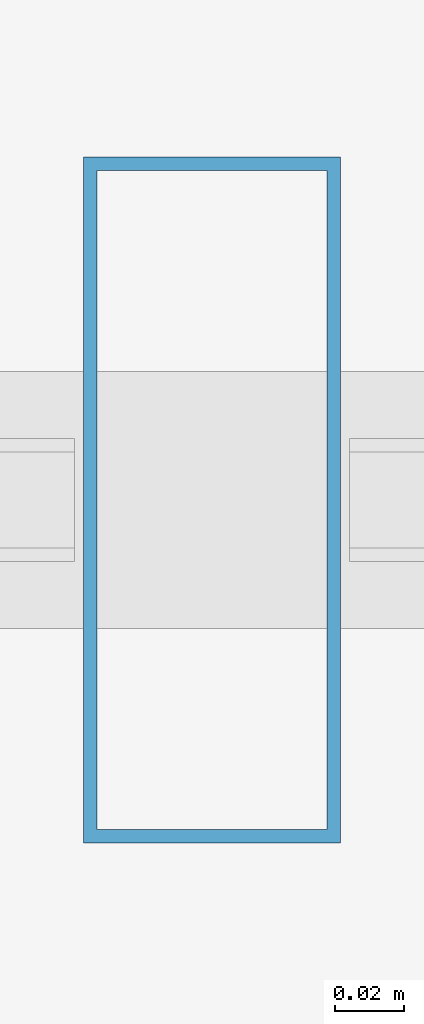
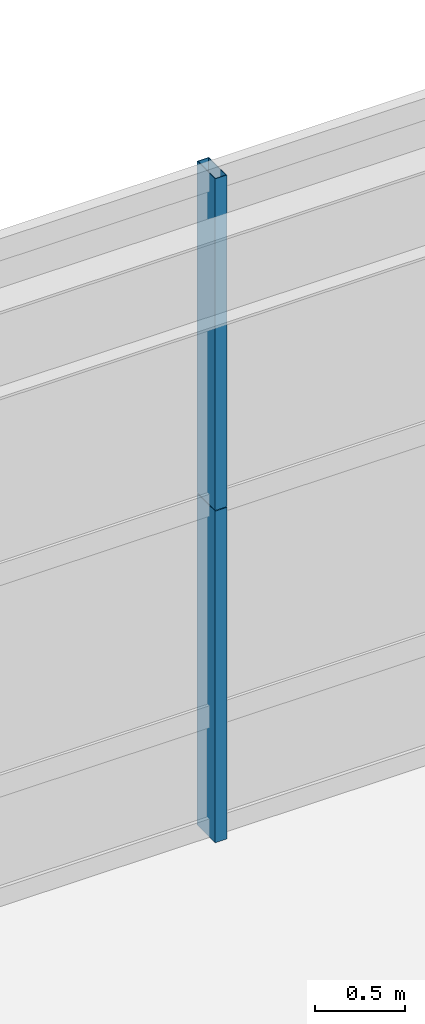
# One storey, part 19 of 37: 2 members, 1 element without a shape of its own.
"""IFC4 building model written with IfcOpenShell, lengths in metres."""

import ifcopenshell
import ifcopenshell.guid

model = None  # the IFC model being written
_history = None  # IfcOwnerHistory: only IFC2X3 demands one
_inside = {}  # id of a spatial element -> (the spatial element, [elements in it])
_under = {}  # id of a project, library or spatial element -> (it, [spatial elements below it])
_declared = {}  # id of a project -> (the project, [libraries it declares])
_typed = {}  # id of a type object -> (the type object, [elements of that type])
_made_of = {}  # id of a material, layer set ... -> (it, [elements and type objects made of it])


def new_model(schema):
    """Start an empty IFC model of exactly this schema.

    Asked for "IFC4X3", IfcOpenShell would pick the latest addendum, in which some entities
    have other attributes; the version numbers below select the first issue.
    IFC2X3 requires an IfcOwnerHistory on every rooted entity: one is made here for all.
    """
    global model, _history
    if schema == "IFC4X3":
        model = ifcopenshell.file(schema_version=(4, 3, 0, 0))
    else:
        model = ifcopenshell.file(schema=schema)
    _inside.clear()
    _under.clear()
    _declared.clear()
    _typed.clear()
    _made_of.clear()
    _history = None
    if model.schema == "IFC2X3":
        org = make("IfcOrganization", Name="unknown")
        user = make(
            "IfcPersonAndOrganization",
            ThePerson=make("IfcPerson", FamilyName="unknown"),
            TheOrganization=org,
        )
        app = make(
            "IfcApplication",
            ApplicationDeveloper=org,
            Version="unknown",
            ApplicationFullName="unknown",
            ApplicationIdentifier="unknown",
        )
        _history = make(
            "IfcOwnerHistory",
            OwningUser=user,
            OwningApplication=app,
            ChangeAction="ADDED",
            CreationDate=0,
        )
    return model


def make(cls, **values):
    """One entity of the class cls with the attributes given. An attribute that is None is left unset."""
    return model.create_entity(
        cls, **{name: value for name, value in values.items() if value is not None}
    )


def rooted(cls, **values):
    """An entity with a GlobalId (a new one), such as an element, a storey or a relation."""
    return make(cls, GlobalId=ifcopenshell.guid.new(), OwnerHistory=_history, **values)


def si_unit(unit_type, name, prefix=None):
    """IfcSIUnit, for example si_unit("LENGTHUNIT", "METRE", prefix="MILLI")."""
    return make("IfcSIUnit", UnitType=unit_type, Prefix=prefix, Name=name)


def assignment(units):
    """IfcUnitAssignment: the units of a project."""
    return None if units is None else make("IfcUnitAssignment", Units=units)


def point(xyz):
    """IfcCartesianPoint."""
    return None if xyz is None else make("IfcCartesianPoint", Coordinates=xyz)


def direction(xyz):
    """IfcDirection."""
    return None if xyz is None else make("IfcDirection", DirectionRatios=xyz)


def frame(location, z_axis=None, x_axis=None):
    """IfcAxis2Placement3D, a coordinate frame: its origin and axes. An axis left out is left unset."""
    return make(
        "IfcAxis2Placement3D",
        Location=point(location),
        Axis=direction(z_axis),
        RefDirection=direction(x_axis),
    )


def frame_2d(location, x_axis=None):
    """IfcAxis2Placement2D, a coordinate frame in the plane: its origin and x axis."""
    return make(
        "IfcAxis2Placement2D", Location=point(location), RefDirection=direction(x_axis)
    )


def origin():
    """The frame at (0, 0, 0) with its axes left unset."""
    return frame((0.0, 0.0, 0.0))


def origin_2d():
    """The frame at (0, 0) in the plane with its x axis left unset."""
    return frame_2d((0.0, 0.0))


def place(relative_to, where):
    """IfcLocalPlacement: puts the frame where relative to a parent placement (None: the world)."""
    return make(
        "IfcLocalPlacement", PlacementRelTo=relative_to, RelativePlacement=where
    )


def context(
    kind, dimensions, precision=None, world=None, true_north=None, identifier=None
):
    """IfcGeometricRepresentationContext, for example the 3D "Model" context."""
    return make(
        "IfcGeometricRepresentationContext",
        ContextIdentifier=identifier,
        ContextType=kind,
        CoordinateSpaceDimension=dimensions,
        Precision=precision,
        WorldCoordinateSystem=world,
        TrueNorth=true_north,
    )


def subcontext(parent, identifier, kind, view, scale=None):
    """IfcGeometricRepresentationSubContext, for example "Body" below "Model"."""
    return make(
        "IfcGeometricRepresentationSubContext",
        ContextIdentifier=identifier,
        ContextType=kind,
        ParentContext=parent,
        TargetScale=scale,
        TargetView=view,
    )


def project(units=None, contexts=None):
    """IfcProject with its units and contexts."""
    return rooted(
        "IfcProject",
        Name="project",
        RepresentationContexts=contexts,
        UnitsInContext=assignment(units),
    )


def spatial(cls, under=None, at=None, **own):
    """A site, building, storey or space (cls), placed at a placement, below another one or the project."""
    s = rooted(cls, ObjectPlacement=at, **own)
    if under is not None:
        _under.setdefault(under.id(), (under, []))[1].append(s)
    return s


def profile(cls, at=None, kind="AREA", **sizes):
    """A parametric profile (cls). Its sizes go by their IFC names, for example OverallWidth=200.0."""
    return make(cls, ProfileType=kind, Position=at, **sizes)


def hollow_rectangle(**sizes):
    """IfcRectangleHollowProfileDef."""
    return profile("IfcRectangleHollowProfileDef", **sizes)


def extrude(swept, where, along, depth):
    """IfcExtrudedAreaSolid: the profile swept, set in the frame where, extruded along a direction by depth."""
    return make(
        "IfcExtrudedAreaSolid",
        SweptArea=swept,
        Position=where,
        ExtrudedDirection=direction(along),
        Depth=depth,
    )


def shape(context_of_items, identifier, shape_type, items):
    """IfcShapeRepresentation: the items that make up one representation, for example the "Body"."""
    return make(
        "IfcShapeRepresentation",
        ContextOfItems=context_of_items,
        RepresentationIdentifier=identifier,
        RepresentationType=shape_type,
        Items=items,
    )


def source(mapping_origin, context_of_items, identifier, shape_type, items):
    """IfcRepresentationMap: a shape defined once, which mapped items show again and again."""
    return make(
        "IfcRepresentationMap",
        MappingOrigin=mapping_origin,
        MappedRepresentation=shape(context_of_items, identifier, shape_type, items),
    )


def transform(
    local_origin,
    x_axis=None,
    y_axis=None,
    z_axis=None,
    scale=None,
    scale2=None,
    scale3=None,
    uniform=True,
):
    """IfcCartesianTransformationOperator3D, or its non-uniform kind. x_axis, y_axis, z_axis: its Axis1, 2, 3."""
    if uniform:
        return make(
            "IfcCartesianTransformationOperator3D",
            Axis1=direction(x_axis),
            Axis2=direction(y_axis),
            LocalOrigin=point(local_origin),
            Scale=scale,
            Axis3=direction(z_axis),
        )
    return make(
        "IfcCartesianTransformationOperator3DnonUniform",
        Axis1=direction(x_axis),
        Axis2=direction(y_axis),
        LocalOrigin=point(local_origin),
        Scale=scale,
        Axis3=direction(z_axis),
        Scale2=scale2,
        Scale3=scale3,
    )


def mapped(mapping_source, mapping_target):
    """IfcMappedItem: shows the shape of a source again, moved by a transform."""
    return make(
        "IfcMappedItem", MappingSource=mapping_source, MappingTarget=mapping_target
    )


def material(Name=None, Category=None):
    """IfcMaterial."""
    return make("IfcMaterial", Name=Name, Category=Category)


def layer(
    of_material, thickness, ventilated=None, Name=None, Category=None, Priority=None
):
    """IfcMaterialLayer: one layer of a wall or slab, of a material (None: an air gap)."""
    return make(
        "IfcMaterialLayer",
        Material=of_material,
        LayerThickness=thickness,
        IsVentilated=ventilated,
        Name=Name,
        Category=Category,
        Priority=Priority,
    )


def layer_set(layers, Name=None):
    """IfcMaterialLayerSet."""
    return make("IfcMaterialLayerSet", MaterialLayers=layers, LayerSetName=Name)


def material_profile(
    of_material, cross_section, Name=None, Category=None, Priority=None
):
    """IfcMaterialProfile: a cross section and its material."""
    return make(
        "IfcMaterialProfile",
        Name=Name,
        Material=of_material,
        Profile=cross_section,
        Priority=Priority,
        Category=Category,
    )


def profile_set(profiles, Name=None, composite=None):
    """IfcMaterialProfileSet."""
    return make(
        "IfcMaterialProfileSet",
        Name=Name,
        MaterialProfiles=profiles,
        CompositeProfile=composite,
    )


def made_of(thing, what):
    """Note that an element or type object is made of a material, layer set ...; save() writes the relation."""
    if what is not None:
        _made_of.setdefault(what.id(), (what, []))[1].append(thing)
    return thing


def type_object(cls, material=None, **own):
    """A type object (cls), such as IfcWallType, which elements share."""
    return made_of(rooted(cls, **own), material)


def element(
    cls,
    number,
    at=None,
    inside=None,
    cuts=None,
    type_object=None,
    material=None,
    context=None,
    identifier="Body",
    shape_type=None,
    held_by="IfcProductDefinitionShape",
    body=None,
    shapes=None,
    **own,
):
    """One element of the class cls, such as IfcWall. Its Tag is "e" and its number.

    at: its placement. inside: the storey or other place that contains it. cuts: it is an
    opening in that element (IfcRelVoidsElement). A single representation is given by context,
    identifier, shape_type and body (its items); several are given by shapes. held_by: the class
    of the entity that holds the representations. save() writes the other relations.
    """
    e = rooted(cls, Tag="e%d" % number, ObjectPlacement=at, **own)
    if body is not None:
        shapes = [shape(context, identifier, shape_type, body)]
    if shapes is not None:
        e.Representation = make(held_by, Representations=shapes)
    if inside is not None:
        _inside.setdefault(inside.id(), (inside, []))[1].append(e)
    if cuts is not None:
        rooted(
            "IfcRelVoidsElement", RelatingBuildingElement=cuts, RelatedOpeningElement=e
        )
    if type_object is not None:
        _typed.setdefault(type_object.id(), (type_object, []))[1].append(e)
    return made_of(e, material)


def aggregate(whole, parts):
    """IfcRelAggregates: a whole, such as a stair, and the parts it consists of."""
    return rooted("IfcRelAggregates", RelatingObject=whole, RelatedObjects=parts)


def save(model, path):
    """Write the relations noted so far, then the file.

    IfcRelAggregates (storeys below a building ...), IfcRelContainedInSpatialStructure (elements
    in a storey), IfcRelDefinesByType, IfcRelAssociatesMaterial and IfcRelDeclares: one each for
    every whole, place, type object, material and project.
    """
    for whole, parts in _under.values():
        aggregate(whole, parts)
    for where, things in _inside.values():
        rooted(
            "IfcRelContainedInSpatialStructure",
            RelatedElements=things,
            RelatingStructure=where,
        )
    for kind, things in _typed.values():
        rooted("IfcRelDefinesByType", RelatedObjects=things, RelatingType=kind)
    for what, things in _made_of.values():
        rooted("IfcRelAssociatesMaterial", RelatedObjects=things, RelatingMaterial=what)
    for by, libraries in _declared.values():
        rooted("IfcRelDeclares", RelatingContext=by, RelatedDefinitions=libraries)
    model.write(path)


model = new_model("IFC4")

# Units and contexts
model_context = context("Model", 3, precision=1e-05, world=origin(), true_north=direction((0.0, 1.0)))
body_context = subcontext(model_context, "Body", "Model", "MODEL_VIEW")
ifc_project = project(units=[si_unit("LENGTHUNIT", "METRE"), si_unit("AREAUNIT", "SQUARE_METRE"), si_unit("VOLUMEUNIT", "CUBIC_METRE"), si_unit("PLANEANGLEUNIT", "RADIAN"), si_unit("MASSUNIT", "GRAM", prefix="KILO"), si_unit("THERMODYNAMICTEMPERATUREUNIT", "KELVIN"), si_unit("POWERUNIT", "WATT")], contexts=[model_context])

# Site, building, storey
site_placement = place(None, origin())
site = spatial("IfcSite", under=ifc_project, at=site_placement, CompositionType="ELEMENT")
building_placement = place(site_placement, origin())
building = spatial("IfcBuilding", under=site, at=building_placement, Name="Yuzanri Waterfront Tower", CompositionType="ELEMENT")
storey_placement = place(building_placement, frame((0.0, 0.0, 5.39990234375)))
storey = spatial("IfcBuildingStorey", under=building, at=storey_placement, Name="L02", CompositionType="ELEMENT", Elevation=5.39990234375)

# Curtain wall, members
ifc_material_1 = material(Name="Anodized Architectural Bronze", Category="metal")
ifc_layer = layer(ifc_material_1, 0.159912109375)
ifc_layer_set = layer_set([ifc_layer], Name="Anodized Architectural Bronze")
curtain_wall_type = type_object("IfcCurtainWallType", Name="Anodized Bronze Podium Waterfront Double-Height Unitized Curtain Wall 8400", PredefinedType="NOTDEFINED", material=ifc_layer_set)
curtain_wall_placement = place(storey_placement, origin())
curtain_wall = element("IfcCurtainWall", 1, at=curtain_wall_placement, inside=storey, type_object=curtain_wall_type, Name="L02 Curtain Wall CW-L02-N1", PredefinedType="NOTDEFINED")
ifc_material_2 = material(Name="Anodized Architectural Bronze", Category="metal")
ifc_material_profile = material_profile(ifc_material_2, hollow_rectangle(XDim=0.074951171875, YDim=0.199951171875, WallThickness=0.00390625, at=origin_2d()), Name="CWM 75x200")
ifc_profile_set = profile_set([ifc_material_profile], Name="Anodized Architectural Bronze")
member_type = type_object("IfcMemberType", Name="Anodized Bronze Primary Curtain-Wall Mullion 75x200", PredefinedType="MULLION", material=ifc_profile_set)
shared_shape_1 = source(origin(), body_context, "Body", "SweptSolid", [
    extrude(hollow_rectangle(XDim=0.074951171875, YDim=0.199951171875, WallThickness=0.00390625, at=origin_2d()), origin(), (0.0, 0.0, 1.0), 2.258056640625),
])
member_1_placement = place(storey_placement, frame((26.25, 49.6201171875, 0.0), z_axis=(0.0, 0.0, 1.0), x_axis=(1.0, 0.0, 0.0)))
member_1 = element("IfcMember", 2, at=member_1_placement, type_object=member_type, Name="CW-L02-N1 Lower Mullion 01", PredefinedType="MULLION", context=body_context, shape_type="MappedRepresentation", body=[
    mapped(shared_shape_1, transform((0.0, 0.0, 0.0), scale=1.0)),
])
shared_shape_2 = source(origin(), body_context, "Body", "SweptSolid", [
    extrude(hollow_rectangle(XDim=0.074951171875, YDim=0.199951171875, WallThickness=0.00390625, at=origin_2d()), origin(), (0.0, 0.0, 1.0), 2.2578125),
])
member_2_placement = place(storey_placement, frame((26.25, 49.6201171875, 2.26220703125), z_axis=(0.0, 0.0, 1.0), x_axis=(1.0, 0.0, 0.0)))
member_2 = element("IfcMember", 3, at=member_2_placement, type_object=member_type, Name="CW-L02-N1 Upper Mullion 01", PredefinedType="MULLION", context=body_context, shape_type="MappedRepresentation", body=[
    mapped(shared_shape_2, transform((0.0, 0.0, 0.0), scale=1.0)),
])
aggregate(curtain_wall, [member_1, member_2])

save(model, "model.ifc")
